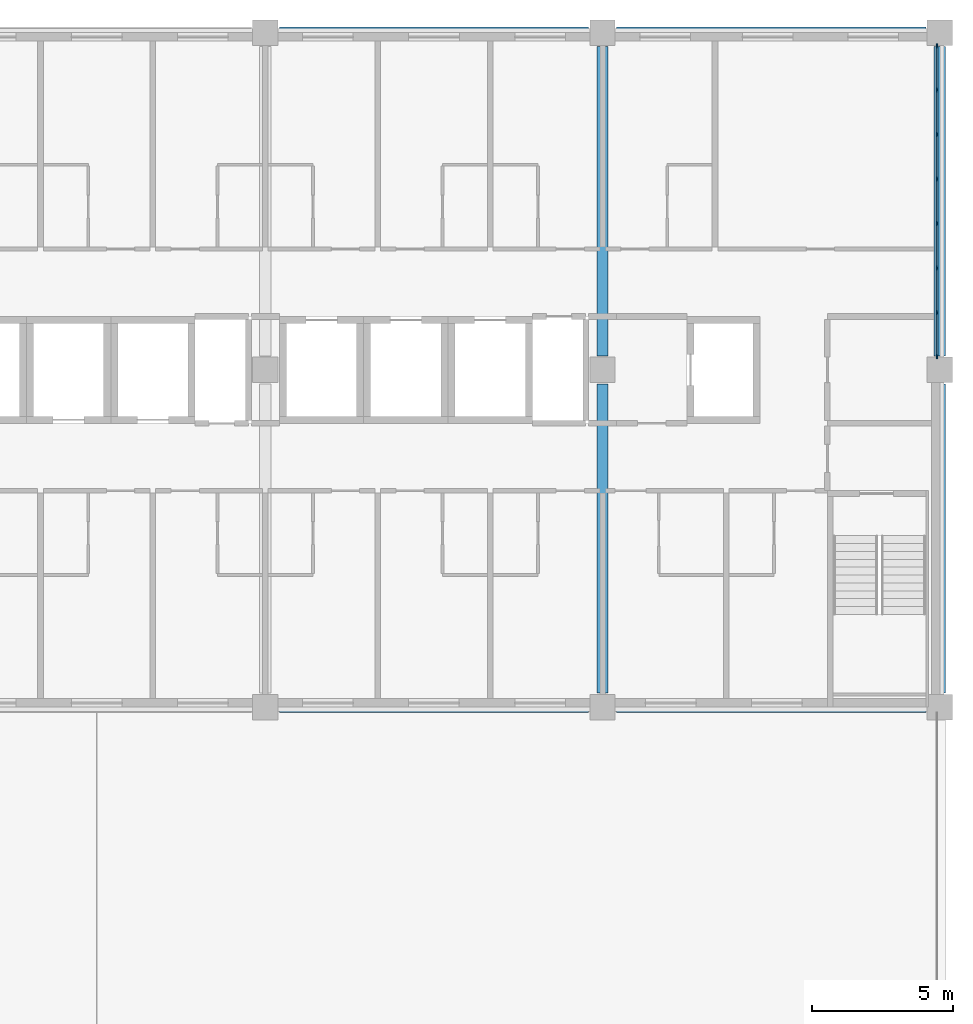
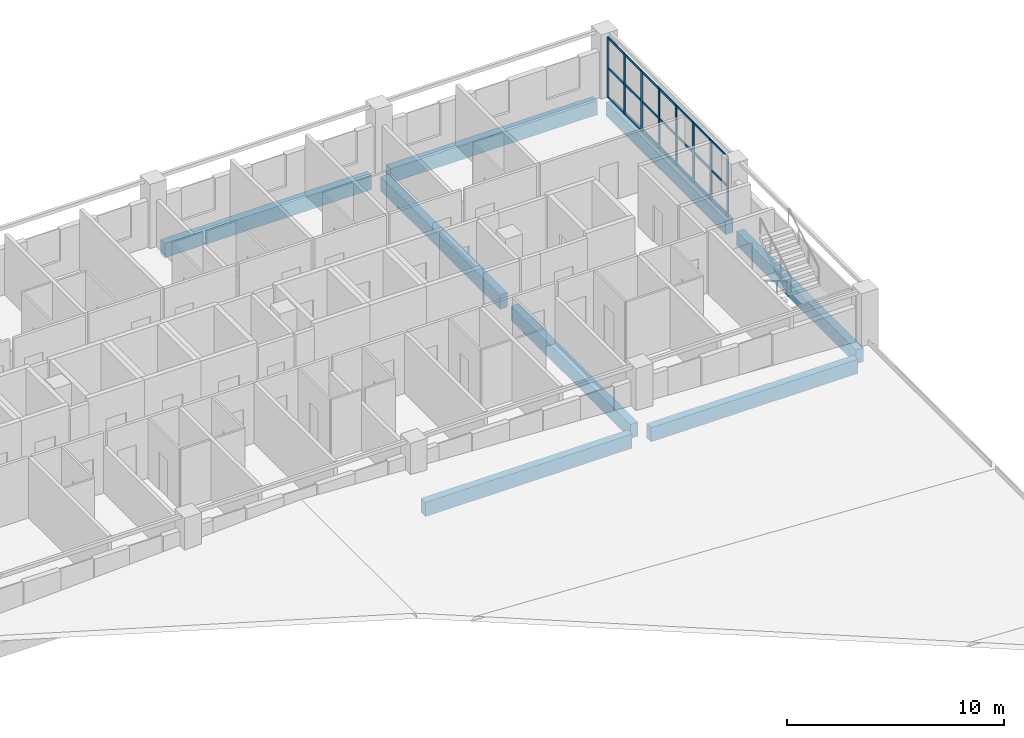
# One storey, part 65 of 94: 29 members, 8 beams, 1 element without a shape of its own.
"""IFC4 building model written with IfcOpenShell, lengths in metres."""

from ifc_helpers import new_model, si_unit, direction, frame, origin, origin_2d, place, context, subcontext, project, spatial, rectangle, extrude, material, layer, layer_set, material_profile, profile_set, type_object, element, aggregate, save


model = new_model("IFC4")

# Units and contexts
model_context = context("Model", 3, precision=1e-05, world=origin(), true_north=direction((0.0, 1.0)))
body_context = subcontext(model_context, "Body", "Model", "MODEL_VIEW")
ifc_project = project(units=[si_unit("LENGTHUNIT", "METRE"), si_unit("AREAUNIT", "SQUARE_METRE"), si_unit("VOLUMEUNIT", "CUBIC_METRE"), si_unit("PLANEANGLEUNIT", "RADIAN"), si_unit("MASSUNIT", "GRAM", prefix="KILO")], contexts=[model_context])

# Site, building, storey
site_placement = place(None, origin())
site = spatial("IfcSite", under=ifc_project, at=site_placement, CompositionType="ELEMENT")
building_placement = place(site_placement, origin())
building = spatial("IfcBuilding", under=site, at=building_placement, Name="Lilac Gate Convention Centre", CompositionType="ELEMENT")
storey_placement = place(building_placement, frame((0.0, 0.0, 21.0)))
storey = spatial("IfcBuildingStorey", under=building, at=storey_placement, Name="L04", CompositionType="ELEMENT", Elevation=21.0)

# Curtain wall, members
ifc_material_1 = material(Name="Aluminium framed double glazing", Category="aluminium")
ifc_layer = layer(ifc_material_1, 0.199951171875)
ifc_layer_set = layer_set([ifc_layer], Name="Aluminium framed double glazing")
curtain_wall_type = type_object("IfcCurtainWallType", Name="Unitised curtain wall 1500", PredefinedType="NOTDEFINED", material=ifc_layer_set)
curtain_wall_placement = place(storey_placement, origin())
curtain_wall = element("IfcCurtainWall", 1, at=curtain_wall_placement, inside=storey, type_object=curtain_wall_type, Name="Curtain wall E L04 2", PredefinedType="NOTDEFINED")
ifc_material_2 = material(Name="Aluminium alloy 6063", Category="aluminium")
ifc_material_profile_1 = material_profile(ifc_material_2, rectangle(XDim=0.06005859375, YDim=0.159912109375, at=origin_2d()), Name="Curtain wall mullion 60 x 160")
ifc_profile_set_1 = profile_set([ifc_material_profile_1], Name="Aluminium alloy 6063")
member_type_1 = type_object("IfcMemberType", Name="Curtain wall mullion 60 x 160", PredefinedType="MULLION", material=ifc_profile_set_1)
member_1_placement = place(storey_placement, frame((89.89990234375, 234.47998046875, 0.0), z_axis=(0.0, 0.0, 1.0), x_axis=(-1.0, 0.0, 0.0)))
member_1 = element("IfcMember", 2, at=member_1_placement, type_object=member_type_1, Name="CW mullion 1", PredefinedType="MULLION", context=body_context, shape_type="SweptSolid", body=[
    extrude(rectangle(XDim=0.06005859375, YDim=0.159912109375, at=origin_2d()), origin(), (0.0, 0.0, 1.0), 3.39990234375),
])
member_2_placement = place(storey_placement, frame((89.89990234375, 236.03564453125, 0.0), z_axis=(0.0, 0.0, 1.0), x_axis=(-1.0, 0.0, 0.0)))
member_2 = element("IfcMember", 3, at=member_2_placement, type_object=member_type_1, Name="CW mullion 2", PredefinedType="MULLION", context=body_context, shape_type="SweptSolid", body=[
    extrude(rectangle(XDim=0.06005859375, YDim=0.159912109375, at=origin_2d()), origin(), (0.0, 0.0, 1.0), 3.39990234375),
])
member_3_placement = place(storey_placement, frame((89.89990234375, 237.621337890625, 0.0), z_axis=(0.0, 0.0, 1.0), x_axis=(-1.0, 0.0, 0.0)))
member_3 = element("IfcMember", 4, at=member_3_placement, type_object=member_type_1, Name="CW mullion 3", PredefinedType="MULLION", context=body_context, shape_type="SweptSolid", body=[
    extrude(rectangle(XDim=0.06005859375, YDim=0.159912109375, at=origin_2d()), origin(), (0.0, 0.0, 1.0), 3.39990234375),
])
member_4_placement = place(storey_placement, frame((89.89990234375, 239.20703125, 0.0), z_axis=(0.0, 0.0, 1.0), x_axis=(-1.0, 0.0, 0.0)))
member_4 = element("IfcMember", 5, at=member_4_placement, type_object=member_type_1, Name="CW mullion 4", PredefinedType="MULLION", context=body_context, shape_type="SweptSolid", body=[
    extrude(rectangle(XDim=0.06005859375, YDim=0.159912109375, at=origin_2d()), origin(), (0.0, 0.0, 1.0), 3.39990234375),
])
member_5_placement = place(storey_placement, frame((89.89990234375, 240.79296875, 0.0), z_axis=(0.0, 0.0, 1.0), x_axis=(-1.0, 0.0, 0.0)))
member_5 = element("IfcMember", 6, at=member_5_placement, type_object=member_type_1, Name="CW mullion 5", PredefinedType="MULLION", context=body_context, shape_type="SweptSolid", body=[
    extrude(rectangle(XDim=0.06005859375, YDim=0.159912109375, at=origin_2d()), origin(), (0.0, 0.0, 1.0), 3.39990234375),
])
member_6_placement = place(storey_placement, frame((89.89990234375, 242.378662109375, 0.0), z_axis=(0.0, 0.0, 1.0), x_axis=(-1.0, 0.0, 0.0)))
member_6 = element("IfcMember", 7, at=member_6_placement, type_object=member_type_1, Name="CW mullion 6", PredefinedType="MULLION", context=body_context, shape_type="SweptSolid", body=[
    extrude(rectangle(XDim=0.06005859375, YDim=0.159912109375, at=origin_2d()), origin(), (0.0, 0.0, 1.0), 3.39990234375),
])
member_7_placement = place(storey_placement, frame((89.89990234375, 243.96435546875, 0.0), z_axis=(0.0, 0.0, 1.0), x_axis=(-1.0, 0.0, 0.0)))
member_7 = element("IfcMember", 8, at=member_7_placement, type_object=member_type_1, Name="CW mullion 7", PredefinedType="MULLION", context=body_context, shape_type="SweptSolid", body=[
    extrude(rectangle(XDim=0.06005859375, YDim=0.159912109375, at=origin_2d()), origin(), (0.0, 0.0, 1.0), 3.39990234375),
])
member_8_placement = place(storey_placement, frame((89.89990234375, 245.52001953125, 0.0), z_axis=(0.0, 0.0, 1.0), x_axis=(-1.0, 0.0, 0.0)))
member_8 = element("IfcMember", 9, at=member_8_placement, type_object=member_type_1, Name="CW mullion 8", PredefinedType="MULLION", context=body_context, shape_type="SweptSolid", body=[
    extrude(rectangle(XDim=0.06005859375, YDim=0.159912109375, at=origin_2d()), origin(), (0.0, 0.0, 1.0), 3.39990234375),
])
ifc_material_profile_2 = material_profile(ifc_material_2, rectangle(XDim=0.06005859375, YDim=0.1201171875, at=origin_2d()), Name="Curtain wall transom 60 x 120")
ifc_profile_set_2 = profile_set([ifc_material_profile_2], Name="Aluminium alloy 6063")
member_type_2 = type_object("IfcMemberType", Name="Curtain wall transom 60 x 120", PredefinedType="USERDEFINED", material=ifc_profile_set_2)
member_9_placement = place(storey_placement, frame((89.89990234375, 234.510009765625, 0.030029296875), z_axis=(0.0, 1.0, 0.0), x_axis=(-1.0, 0.0, 0.0)))
member_9 = element("IfcMember", 10, at=member_9_placement, type_object=member_type_2, Name="CW transom 1.1", ObjectType="TRANSOM", PredefinedType="USERDEFINED", context=body_context, shape_type="SweptSolid", body=[
    extrude(rectangle(XDim=0.06005859375, YDim=0.1201171875, at=origin_2d()), origin(), (0.0, 0.0, 1.0), 1.49560546875),
])
member_10_placement = place(storey_placement, frame((89.89990234375, 234.510009765625, 1.699951171875), z_axis=(0.0, 1.0, 0.0), x_axis=(-1.0, 0.0, 0.0)))
member_10 = element("IfcMember", 11, at=member_10_placement, type_object=member_type_2, Name="CW transom 1.2", ObjectType="TRANSOM", PredefinedType="USERDEFINED", context=body_context, shape_type="SweptSolid", body=[
    extrude(rectangle(XDim=0.06005859375, YDim=0.1201171875, at=origin_2d()), origin(), (0.0, 0.0, 1.0), 1.49560546875),
])
member_11_placement = place(storey_placement, frame((89.89990234375, 234.510009765625, 3.369873046875), z_axis=(0.0, 1.0, 0.0), x_axis=(-1.0, 0.0, 0.0)))
member_11 = element("IfcMember", 12, at=member_11_placement, type_object=member_type_2, Name="CW transom 1.3", ObjectType="TRANSOM", PredefinedType="USERDEFINED", context=body_context, shape_type="SweptSolid", body=[
    extrude(rectangle(XDim=0.06005859375, YDim=0.1201171875, at=origin_2d()), origin(), (0.0, 0.0, 1.0), 1.49560546875),
])
member_12_placement = place(storey_placement, frame((89.89990234375, 236.065673828125, 0.030029296875), z_axis=(0.0, 1.0, 0.0), x_axis=(-1.0, 0.0, 0.0)))
member_12 = element("IfcMember", 13, at=member_12_placement, type_object=member_type_2, Name="CW transom 2.1", ObjectType="TRANSOM", PredefinedType="USERDEFINED", context=body_context, shape_type="SweptSolid", body=[
    extrude(rectangle(XDim=0.06005859375, YDim=0.1201171875, at=origin_2d()), origin(), (0.0, 0.0, 1.0), 1.525634765625),
])
member_13_placement = place(storey_placement, frame((89.89990234375, 236.065673828125, 1.699951171875), z_axis=(0.0, 1.0, 0.0), x_axis=(-1.0, 0.0, 0.0)))
member_13 = element("IfcMember", 14, at=member_13_placement, type_object=member_type_2, Name="CW transom 2.2", ObjectType="TRANSOM", PredefinedType="USERDEFINED", context=body_context, shape_type="SweptSolid", body=[
    extrude(rectangle(XDim=0.06005859375, YDim=0.1201171875, at=origin_2d()), origin(), (0.0, 0.0, 1.0), 1.525634765625),
])
member_14_placement = place(storey_placement, frame((89.89990234375, 236.065673828125, 3.369873046875), z_axis=(0.0, 1.0, 0.0), x_axis=(-1.0, 0.0, 0.0)))
member_14 = element("IfcMember", 15, at=member_14_placement, type_object=member_type_2, Name="CW transom 2.3", ObjectType="TRANSOM", PredefinedType="USERDEFINED", context=body_context, shape_type="SweptSolid", body=[
    extrude(rectangle(XDim=0.06005859375, YDim=0.1201171875, at=origin_2d()), origin(), (0.0, 0.0, 1.0), 1.525634765625),
])
member_15_placement = place(storey_placement, frame((89.89990234375, 237.6513671875, 0.030029296875), z_axis=(0.0, 1.0, 0.0), x_axis=(-1.0, 0.0, 0.0)))
member_15 = element("IfcMember", 16, at=member_15_placement, type_object=member_type_2, Name="CW transom 3.1", ObjectType="TRANSOM", PredefinedType="USERDEFINED", context=body_context, shape_type="SweptSolid", body=[
    extrude(rectangle(XDim=0.06005859375, YDim=0.1201171875, at=origin_2d()), origin(), (0.0, 0.0, 1.0), 1.52587890625),
])
member_16_placement = place(storey_placement, frame((89.89990234375, 237.6513671875, 1.699951171875), z_axis=(0.0, 1.0, 0.0), x_axis=(-1.0, 0.0, 0.0)))
member_16 = element("IfcMember", 17, at=member_16_placement, type_object=member_type_2, Name="CW transom 3.2", ObjectType="TRANSOM", PredefinedType="USERDEFINED", context=body_context, shape_type="SweptSolid", body=[
    extrude(rectangle(XDim=0.06005859375, YDim=0.1201171875, at=origin_2d()), origin(), (0.0, 0.0, 1.0), 1.52587890625),
])
member_17_placement = place(storey_placement, frame((89.89990234375, 237.6513671875, 3.369873046875), z_axis=(0.0, 1.0, 0.0), x_axis=(-1.0, 0.0, 0.0)))
member_17 = element("IfcMember", 18, at=member_17_placement, type_object=member_type_2, Name="CW transom 3.3", ObjectType="TRANSOM", PredefinedType="USERDEFINED", context=body_context, shape_type="SweptSolid", body=[
    extrude(rectangle(XDim=0.06005859375, YDim=0.1201171875, at=origin_2d()), origin(), (0.0, 0.0, 1.0), 1.52587890625),
])
member_18_placement = place(storey_placement, frame((89.89990234375, 239.237060546875, 0.030029296875), z_axis=(0.0, 1.0, 0.0), x_axis=(-1.0, 0.0, 0.0)))
member_18 = element("IfcMember", 19, at=member_18_placement, type_object=member_type_2, Name="CW transom 4.1", ObjectType="TRANSOM", PredefinedType="USERDEFINED", context=body_context, shape_type="SweptSolid", body=[
    extrude(rectangle(XDim=0.06005859375, YDim=0.1201171875, at=origin_2d()), origin(), (0.0, 0.0, 1.0), 1.52587890625),
])
member_19_placement = place(storey_placement, frame((89.89990234375, 239.237060546875, 1.699951171875), z_axis=(0.0, 1.0, 0.0), x_axis=(-1.0, 0.0, 0.0)))
member_19 = element("IfcMember", 20, at=member_19_placement, type_object=member_type_2, Name="CW transom 4.2", ObjectType="TRANSOM", PredefinedType="USERDEFINED", context=body_context, shape_type="SweptSolid", body=[
    extrude(rectangle(XDim=0.06005859375, YDim=0.1201171875, at=origin_2d()), origin(), (0.0, 0.0, 1.0), 1.52587890625),
])
member_20_placement = place(storey_placement, frame((89.89990234375, 239.237060546875, 3.369873046875), z_axis=(0.0, 1.0, 0.0), x_axis=(-1.0, 0.0, 0.0)))
member_20 = element("IfcMember", 21, at=member_20_placement, type_object=member_type_2, Name="CW transom 4.3", ObjectType="TRANSOM", PredefinedType="USERDEFINED", context=body_context, shape_type="SweptSolid", body=[
    extrude(rectangle(XDim=0.06005859375, YDim=0.1201171875, at=origin_2d()), origin(), (0.0, 0.0, 1.0), 1.52587890625),
])
member_21_placement = place(storey_placement, frame((89.89990234375, 240.82275390625, 0.030029296875), z_axis=(0.0, 1.0, 0.0), x_axis=(-1.0, 0.0, 0.0)))
member_21 = element("IfcMember", 22, at=member_21_placement, type_object=member_type_2, Name="CW transom 5.1", ObjectType="TRANSOM", PredefinedType="USERDEFINED", context=body_context, shape_type="SweptSolid", body=[
    extrude(rectangle(XDim=0.06005859375, YDim=0.1201171875, at=origin_2d()), origin(), (0.0, 0.0, 1.0), 1.52587890625),
])
member_22_placement = place(storey_placement, frame((89.89990234375, 240.82275390625, 1.699951171875), z_axis=(0.0, 1.0, 0.0), x_axis=(-1.0, 0.0, 0.0)))
member_22 = element("IfcMember", 23, at=member_22_placement, type_object=member_type_2, Name="CW transom 5.2", ObjectType="TRANSOM", PredefinedType="USERDEFINED", context=body_context, shape_type="SweptSolid", body=[
    extrude(rectangle(XDim=0.06005859375, YDim=0.1201171875, at=origin_2d()), origin(), (0.0, 0.0, 1.0), 1.52587890625),
])
member_23_placement = place(storey_placement, frame((89.89990234375, 240.82275390625, 3.369873046875), z_axis=(0.0, 1.0, 0.0), x_axis=(-1.0, 0.0, 0.0)))
member_23 = element("IfcMember", 24, at=member_23_placement, type_object=member_type_2, Name="CW transom 5.3", ObjectType="TRANSOM", PredefinedType="USERDEFINED", context=body_context, shape_type="SweptSolid", body=[
    extrude(rectangle(XDim=0.06005859375, YDim=0.1201171875, at=origin_2d()), origin(), (0.0, 0.0, 1.0), 1.52587890625),
])
member_24_placement = place(storey_placement, frame((89.89990234375, 242.40869140625, 0.030029296875), z_axis=(0.0, 1.0, 0.0), x_axis=(-1.0, 0.0, 0.0)))
member_24 = element("IfcMember", 25, at=member_24_placement, type_object=member_type_2, Name="CW transom 6.1", ObjectType="TRANSOM", PredefinedType="USERDEFINED", context=body_context, shape_type="SweptSolid", body=[
    extrude(rectangle(XDim=0.06005859375, YDim=0.1201171875, at=origin_2d()), origin(), (0.0, 0.0, 1.0), 1.525634765625),
])
member_25_placement = place(storey_placement, frame((89.89990234375, 242.40869140625, 1.699951171875), z_axis=(0.0, 1.0, 0.0), x_axis=(-1.0, 0.0, 0.0)))
member_25 = element("IfcMember", 26, at=member_25_placement, type_object=member_type_2, Name="CW transom 6.2", ObjectType="TRANSOM", PredefinedType="USERDEFINED", context=body_context, shape_type="SweptSolid", body=[
    extrude(rectangle(XDim=0.06005859375, YDim=0.1201171875, at=origin_2d()), origin(), (0.0, 0.0, 1.0), 1.525634765625),
])
member_26_placement = place(storey_placement, frame((89.89990234375, 242.40869140625, 3.369873046875), z_axis=(0.0, 1.0, 0.0), x_axis=(-1.0, 0.0, 0.0)))
member_26 = element("IfcMember", 27, at=member_26_placement, type_object=member_type_2, Name="CW transom 6.3", ObjectType="TRANSOM", PredefinedType="USERDEFINED", context=body_context, shape_type="SweptSolid", body=[
    extrude(rectangle(XDim=0.06005859375, YDim=0.1201171875, at=origin_2d()), origin(), (0.0, 0.0, 1.0), 1.525634765625),
])
member_27_placement = place(storey_placement, frame((89.89990234375, 243.994384765625, 0.030029296875), z_axis=(0.0, 1.0, 0.0), x_axis=(-1.0, 0.0, 0.0)))
member_27 = element("IfcMember", 28, at=member_27_placement, type_object=member_type_2, Name="CW transom 7.1", ObjectType="TRANSOM", PredefinedType="USERDEFINED", context=body_context, shape_type="SweptSolid", body=[
    extrude(rectangle(XDim=0.06005859375, YDim=0.1201171875, at=origin_2d()), origin(), (0.0, 0.0, 1.0), 1.49560546875),
])
member_28_placement = place(storey_placement, frame((89.89990234375, 243.994384765625, 1.699951171875), z_axis=(0.0, 1.0, 0.0), x_axis=(-1.0, 0.0, 0.0)))
member_28 = element("IfcMember", 29, at=member_28_placement, type_object=member_type_2, Name="CW transom 7.2", ObjectType="TRANSOM", PredefinedType="USERDEFINED", context=body_context, shape_type="SweptSolid", body=[
    extrude(rectangle(XDim=0.06005859375, YDim=0.1201171875, at=origin_2d()), origin(), (0.0, 0.0, 1.0), 1.49560546875),
])
member_29_placement = place(storey_placement, frame((89.89990234375, 243.994384765625, 3.369873046875), z_axis=(0.0, 1.0, 0.0), x_axis=(-1.0, 0.0, 0.0)))
member_29 = element("IfcMember", 30, at=member_29_placement, type_object=member_type_2, Name="CW transom 7.3", ObjectType="TRANSOM", PredefinedType="USERDEFINED", context=body_context, shape_type="SweptSolid", body=[
    extrude(rectangle(XDim=0.06005859375, YDim=0.1201171875, at=origin_2d()), origin(), (0.0, 0.0, 1.0), 1.49560546875),
])
aggregate(curtain_wall, [member_1, member_2, member_3, member_4, member_5, member_6, member_7, member_8, member_9, member_10, member_11, member_12, member_13, member_14, member_15, member_16, member_17, member_18, member_19, member_20, member_21, member_22, member_23, member_24, member_25, member_26, member_27, member_28, member_29])

# Beams
ifc_material_3 = material(Name="Concrete C40", Category="concrete")
ifc_material_profile_3 = material_profile(ifc_material_3, rectangle(XDim=0.39990234375, YDim=0.800048828125, at=origin_2d()), Name="RC 400x800")
ifc_profile_set_3 = profile_set([ifc_material_profile_3], Name="Concrete C40")
beam_type = type_object("IfcBeamType", Name="Tower primary beam 400x800 C40", PredefinedType="BEAM", material=ifc_profile_set_3)
for number, where, z_axis, x_axis, name in (
    (31, (66.5, 222.0, -0.60009765625), (1.0, 0.0, 0.0), (0.0, 1.0, 0.0), "RB3 L04 6/S-7/S"),
    (32, (78.5, 222.0, -0.60009765625), (1.0, 0.0, 0.0), (0.0, 1.0, 0.0), "RB3 L04 7/S-8/S"),
    (33, (66.5, 246.0, -0.60009765625), (1.0, 0.0, 0.0), (0.0, 1.0, 0.0), "RB3 L04 6/U-7/U"),
    (34, (78.5, 246.0, -0.60009765625), (1.0, 0.0, 0.0), (0.0, 1.0, 0.0), "RB3 L04 7/U-8/U"),
    (35, (78.0, 222.5, -0.60009765625), (0.0, 1.0, 0.0), (-1.0, 0.0, 0.0), "RB3 L04 7/S-7/T"),
    (36, (78.0, 234.5, -0.60009765625), (0.0, 1.0, 0.0), (-1.0, 0.0, 0.0), "RB3 L04 7/T-7/U"),
    (37, (90.0, 222.5, -0.60009765625), (0.0, 1.0, 0.0), (-1.0, 0.0, 0.0), "RB3 L04 8/S-8/T"),
    (38, (90.0, 234.5, -0.60009765625), (0.0, 1.0, 0.0), (-1.0, 0.0, 0.0), "RB3 L04 8/T-8/U"),
):
    element("IfcBeam", number, at=place(storey_placement, frame(where, z_axis=z_axis, x_axis=x_axis)), inside=storey, type_object=beam_type, Name=name, PredefinedType="BEAM", context=body_context, shape_type="SweptSolid", body=[
        extrude(rectangle(XDim=0.39990234375, YDim=0.800048828125, at=origin_2d()), origin(), (0.0, 0.0, 1.0), 11.0),
    ])

save(model, "model.ifc")
